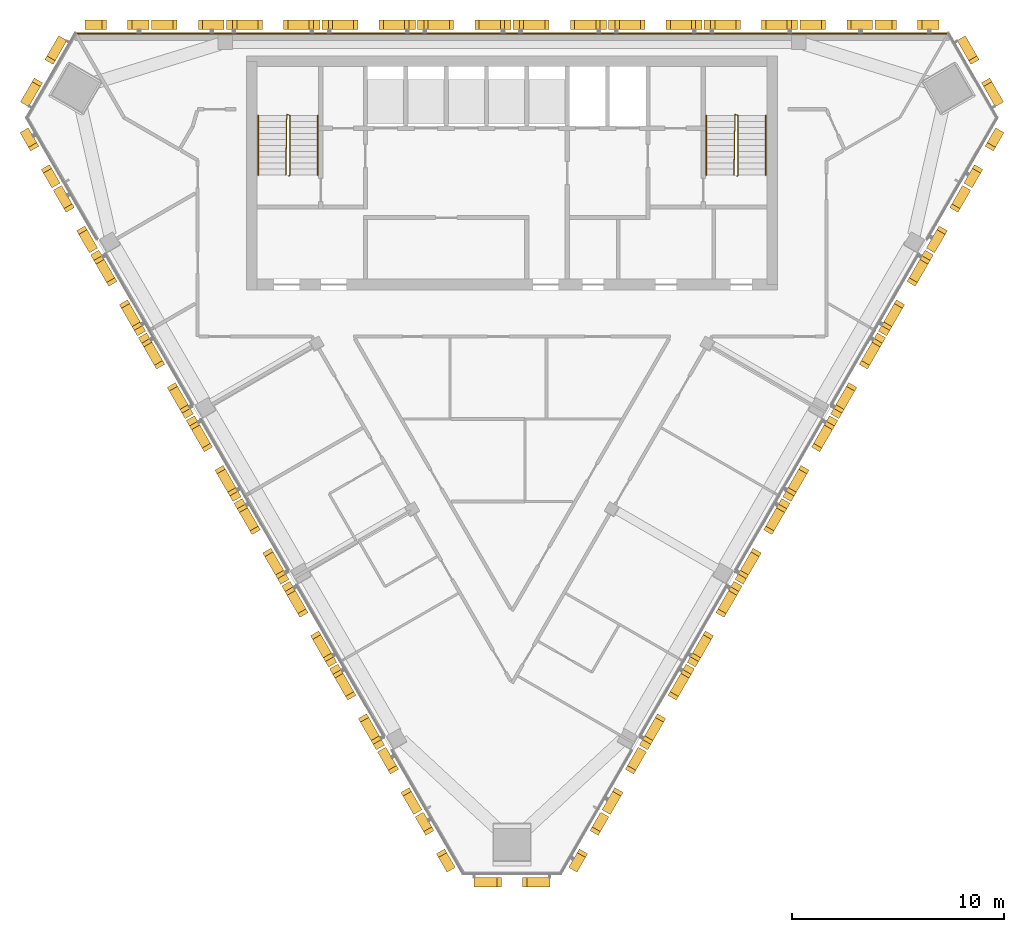
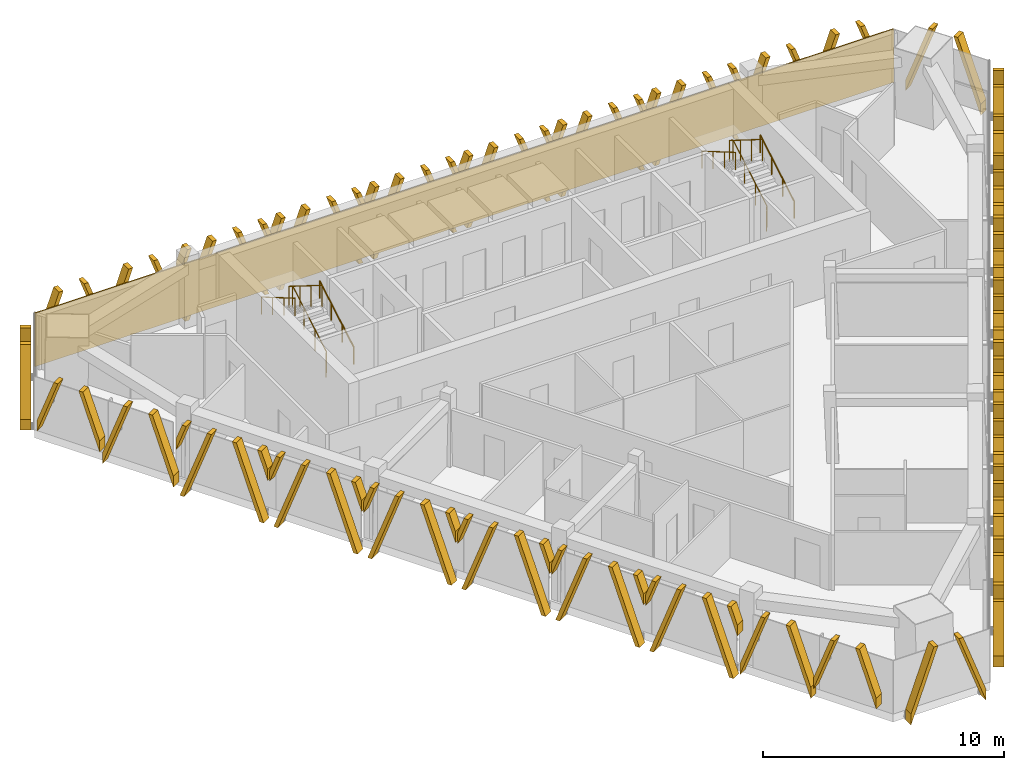
# One storey, part 11 of 12: 33 shading devices, 6 railings, 1 covering.
"""IFC4 building model written with IfcOpenShell, lengths in metres."""

from ifc_helpers import new_model, si_unit, direction, frame, frame_2d, origin, origin_2d, place, context, subcontext, project, spatial, polyline, rectangle, circle, outline, extrude, source, transform, mapped, material, layer, layer_set, type_object, element, save


model = new_model("IFC4")

# Units and contexts
model_context = context("Model", 3, precision=1e-05, world=origin(), true_north=direction((0.0, 1.0)))
body_context = subcontext(model_context, "Body", "Model", "MODEL_VIEW")
ifc_project = project(units=[si_unit("LENGTHUNIT", "METRE"), si_unit("AREAUNIT", "SQUARE_METRE"), si_unit("VOLUMEUNIT", "CUBIC_METRE"), si_unit("PLANEANGLEUNIT", "RADIAN"), si_unit("MASSUNIT", "GRAM", prefix="KILO")], contexts=[model_context])

# Site, building, storey
site_placement = place(None, origin())
site = spatial("IfcSite", under=ifc_project, at=site_placement, CompositionType="ELEMENT")
building_placement = place(site_placement, origin())
building = spatial("IfcBuilding", under=site, at=building_placement, Name="Altiplano Prism Tower", CompositionType="ELEMENT")
storey_placement = place(building_placement, frame((0.0, 0.0, 278.800048828125)))
storey = spatial("IfcBuildingStorey", under=building, at=storey_placement, Name="L72", CompositionType="ELEMENT", Elevation=278.800048828125)

# Railings
ifc_material_1 = material(Name="Steel S355", Category="steel")
railing_type_1 = type_object("IfcRailingType", Name="Stair guard 1100", PredefinedType="GUARDRAIL", material=ifc_material_1)
railing_1_placement = place(storey_placement, frame((74.5, 98.25, 0.0)))
element("IfcRailing", 1, at=railing_1_placement, inside=storey, type_object=railing_type_1, Name="L72 ST1 stair guard 1", PredefinedType="GUARDRAIL", context=body_context, shape_type="SweptSolid", body=[
    extrude(circle(Radius=0.02392578125, at=origin_2d()), frame((0.0, 0.0, 1.076171875), z_axis=(0.280808744504, 0.280808744504, 0.917765164963), x_axis=(-0.707106781187, 0.707106781187, 0.0)), (0.0, 0.0, 1.0), 0.17822265625),
    extrude(circle(Radius=0.02392578125, at=origin_2d()), frame((0.050048828125, 0.050048828125, 1.23974609375), z_axis=(0.0, 0.863360870873, 0.504586966384), x_axis=(-1.0, 0.0, 0.0)), (0.0, 0.0, 1.0), 3.2431640625),
    extrude(circle(Radius=0.02392578125, at=origin_2d()), frame((0.050048828125, 2.85009765625, 2.8759765625), z_axis=(-0.949145278916, 0.314838433982, 0.0), x_axis=(-0.314838433982, -0.949145278916, 0.0)), (0.0, 0.0, 1.0), 0.158203125),
    extrude(circle(Radius=0.02392578125, at=origin_2d()), frame((-0.10009765625, 2.89990234375, 2.8759765625), z_axis=(-0.014774583964, -0.845410385345, 0.533912906773), x_axis=(0.999847325713, -0.01747355902, 0.0)), (0.0, 0.0, 1.0), 3.370849609375),
    extrude(circle(Radius=0.02099609375, at=origin_2d()), origin(), (0.0, 0.0, 1.0), 1.052001953125),
    extrude(circle(Radius=0.02099609375, at=origin_2d()), frame((0.050048828125, 0.050048828125, 0.16357421875)), (0.0, 0.0, 1.0), 1.052001953125),
    extrude(circle(Radius=0.02099609375, at=origin_2d()), frame((0.050048828125, 0.9833984375, 0.708984375)), (0.0, 0.0, 1.0), 1.052001953125),
    extrude(circle(Radius=0.02099609375, at=origin_2d()), frame((0.050048828125, 1.916748046875, 1.254638671875)), (0.0, 0.0, 1.0), 1.052001953125),
    extrude(circle(Radius=0.02099609375, at=origin_2d()), frame((0.050048828125, 2.85009765625, 1.800048828125)), (0.0, 0.0, 1.0), 1.052001953125),
    extrude(circle(Radius=0.02099609375, at=origin_2d()), frame((-0.10009765625, 2.89990234375, 1.800048828125)), (0.0, 0.0, 1.0), 1.052001953125),
    extrude(circle(Radius=0.02099609375, at=origin_2d()), frame((-0.11669921875, 1.949951171875, 2.39990234375)), (0.0, 0.0, 1.0), 1.052001953125),
    extrude(circle(Radius=0.02099609375, at=origin_2d()), frame((-0.13330078125, 1.0, 3.0)), (0.0, 0.0, 1.0), 1.052001953125),
    extrude(circle(Radius=0.02099609375, at=origin_2d()), frame((-0.14990234375, 0.050048828125, 3.599853515625)), (0.0, 0.0, 1.0), 1.052001953125),
])
railing_2_placement = place(storey_placement, frame((95.60009765625, 98.25, 0.0)))
element("IfcRailing", 2, at=railing_2_placement, inside=storey, type_object=railing_type_1, Name="L72 ST2 stair guard 1", PredefinedType="GUARDRAIL", context=body_context, shape_type="SweptSolid", body=[
    extrude(circle(Radius=0.02392578125, at=origin_2d()), frame((0.0, 0.0, 1.076171875), z_axis=(0.279546231943, 0.280916556609, 0.91811752648), x_axis=(-0.708833529934, 0.705375805398, 0.0)), (0.0, 0.0, 1.0), 0.17822265625),
    extrude(circle(Radius=0.02392578125, at=origin_2d()), frame((0.0498046875, 0.050048828125, 1.23974609375), z_axis=(0.0, 0.863360870873, 0.504586966384), x_axis=(-1.0, 0.0, 0.0)), (0.0, 0.0, 1.0), 3.2431640625),
    extrude(circle(Radius=0.02392578125, at=origin_2d()), frame((0.0498046875, 2.85009765625, 2.8759765625), z_axis=(-0.948991962702, 0.315300261223, 0.0), x_axis=(-0.315300261223, -0.948991962702, 0.0)), (0.0, 0.0, 1.0), 0.157958984375),
    extrude(circle(Radius=0.02392578125, at=origin_2d()), frame((-0.10009765625, 2.89990234375, 2.8759765625), z_axis=(-0.014846992469, -0.845409478506, 0.533912334065), x_axis=(0.999845825584, -0.017559187376, 0.0)), (0.0, 0.0, 1.0), 3.37109375),
    extrude(circle(Radius=0.02099609375, at=origin_2d()), origin(), (0.0, 0.0, 1.0), 1.052001953125),
    extrude(circle(Radius=0.02099609375, at=origin_2d()), frame((0.0498046875, 0.050048828125, 0.16357421875)), (0.0, 0.0, 1.0), 1.052001953125),
    extrude(circle(Radius=0.02099609375, at=origin_2d()), frame((0.0498046875, 0.9833984375, 0.708984375)), (0.0, 0.0, 1.0), 1.052001953125),
    extrude(circle(Radius=0.02099609375, at=origin_2d()), frame((0.0498046875, 1.916748046875, 1.254638671875)), (0.0, 0.0, 1.0), 1.052001953125),
    extrude(circle(Radius=0.02099609375, at=origin_2d()), frame((0.0498046875, 2.85009765625, 1.800048828125)), (0.0, 0.0, 1.0), 1.052001953125),
    extrude(circle(Radius=0.02099609375, at=origin_2d()), frame((-0.10009765625, 2.89990234375, 1.800048828125)), (0.0, 0.0, 1.0), 1.052001953125),
    extrude(circle(Radius=0.02099609375, at=origin_2d()), frame((-0.11669921875, 1.949951171875, 2.39990234375)), (0.0, 0.0, 1.0), 1.052001953125),
    extrude(circle(Radius=0.02099609375, at=origin_2d()), frame((-0.133544921875, 1.0, 3.0)), (0.0, 0.0, 1.0), 1.052001953125),
    extrude(circle(Radius=0.02099609375, at=origin_2d()), frame((-0.150146484375, 0.050048828125, 3.599853515625)), (0.0, 0.0, 1.0), 1.052001953125),
])
railing_type_2 = type_object("IfcRailingType", Name="Stair handrail 900", PredefinedType="HANDRAIL", material=ifc_material_1)
railing_3_placement = place(storey_placement, frame((75.85009765625, 98.300048828125, 0.16357421875)))
element("IfcRailing", 3, at=railing_3_placement, inside=storey, type_object=railing_type_2, Name="L72 ST1 stair handrail 1", PredefinedType="HANDRAIL", context=body_context, shape_type="SweptSolid", body=[
    extrude(circle(Radius=0.02392578125, at=origin_2d()), frame((0.0, 0.0, 0.8759765625), z_axis=(0.0, 0.863360870873, 0.504586966384), x_axis=(-1.0, 0.0, 0.0)), (0.0, 0.0, 1.0), 3.2431640625),
    extrude(circle(Radius=0.02099609375, at=origin_2d()), origin(), (0.0, 0.0, 1.0), 0.851806640625),
    extrude(circle(Radius=0.02099609375, at=origin_2d()), frame((0.0, 0.933349609375, 0.54541015625)), (0.0, 0.0, 1.0), 0.851806640625),
    extrude(circle(Radius=0.02099609375, at=origin_2d()), frame((0.0, 1.86669921875, 1.091064453125)), (0.0, 0.0, 1.0), 0.851806640625),
    extrude(circle(Radius=0.02099609375, at=origin_2d()), frame((0.0, 2.800048828125, 1.636474609375)), (0.0, 0.0, 1.0), 0.851806640625),
])
railing_4_placement = place(storey_placement, frame((73.050048828125, 101.10009765625, 1.963623046875)))
element("IfcRailing", 4, at=railing_4_placement, inside=storey, type_object=railing_type_2, Name="L72 ST1 stair handrail 2", PredefinedType="HANDRAIL", context=body_context, shape_type="SweptSolid", body=[
    extrude(circle(Radius=0.02392578125, at=origin_2d()), frame((0.0, 0.0, 0.8759765625), z_axis=(0.0, -0.863393664356, 0.504530851732), x_axis=(1.0, 0.0, 0.0)), (0.0, 0.0, 1.0), 3.2431640625),
    extrude(circle(Radius=0.02099609375, at=origin_2d()), origin(), (0.0, 0.0, 1.0), 0.851806640625),
    extrude(circle(Radius=0.02099609375, at=origin_2d()), frame((0.0, -0.933349609375, 0.54541015625)), (0.0, 0.0, 1.0), 0.851806640625),
    extrude(circle(Radius=0.02099609375, at=origin_2d()), frame((0.0, -1.86669921875, 1.0908203125)), (0.0, 0.0, 1.0), 0.851806640625),
    extrude(circle(Radius=0.02099609375, at=origin_2d()), frame((0.0, -2.800048828125, 1.63623046875)), (0.0, 0.0, 1.0), 0.851806640625),
])
railing_5_placement = place(storey_placement, frame((96.949951171875, 98.300048828125, 0.16357421875)))
element("IfcRailing", 5, at=railing_5_placement, inside=storey, type_object=railing_type_2, Name="L72 ST2 stair handrail 1", PredefinedType="HANDRAIL", context=body_context, shape_type="SweptSolid", body=[
    extrude(circle(Radius=0.02392578125, at=origin_2d()), frame((0.0, 0.0, 0.8759765625), z_axis=(0.0, 0.863360870873, 0.504586966384), x_axis=(-1.0, 0.0, 0.0)), (0.0, 0.0, 1.0), 3.2431640625),
    extrude(circle(Radius=0.02099609375, at=origin_2d()), origin(), (0.0, 0.0, 1.0), 0.851806640625),
    extrude(circle(Radius=0.02099609375, at=origin_2d()), frame((0.0, 0.933349609375, 0.54541015625)), (0.0, 0.0, 1.0), 0.851806640625),
    extrude(circle(Radius=0.02099609375, at=origin_2d()), frame((0.0, 1.86669921875, 1.091064453125)), (0.0, 0.0, 1.0), 0.851806640625),
    extrude(circle(Radius=0.02099609375, at=origin_2d()), frame((0.0, 2.800048828125, 1.636474609375)), (0.0, 0.0, 1.0), 0.851806640625),
])
railing_6_placement = place(storey_placement, frame((94.14990234375, 101.10009765625, 1.963623046875)))
element("IfcRailing", 6, at=railing_6_placement, inside=storey, type_object=railing_type_2, Name="L72 ST2 stair handrail 2", PredefinedType="HANDRAIL", context=body_context, shape_type="SweptSolid", body=[
    extrude(circle(Radius=0.02392578125, at=origin_2d()), frame((0.0, 0.0, 0.8759765625), z_axis=(0.0, -0.863393664356, 0.504530851732), x_axis=(1.0, 0.0, 0.0)), (0.0, 0.0, 1.0), 3.2431640625),
    extrude(circle(Radius=0.02099609375, at=origin_2d()), origin(), (0.0, 0.0, 1.0), 0.851806640625),
    extrude(circle(Radius=0.02099609375, at=origin_2d()), frame((0.0, -0.933349609375, 0.54541015625)), (0.0, 0.0, 1.0), 0.851806640625),
    extrude(circle(Radius=0.02099609375, at=origin_2d()), frame((0.0, -1.86669921875, 1.0908203125)), (0.0, 0.0, 1.0), 0.851806640625),
    extrude(circle(Radius=0.02099609375, at=origin_2d()), frame((0.0, -2.800048828125, 1.63623046875)), (0.0, 0.0, 1.0), 0.851806640625),
])

# Covering
ifc_material_2 = material(Name="Warm limestone cast stone", Category="masonry")
ifc_layer = layer(ifc_material_2, 0.06005859375)
ifc_layer_set = layer_set([ifc_layer], Name="Warm limestone cast stone")
covering_type = type_object("IfcCoveringType", Name="Stone cladding 60", PredefinedType="CLADDING", material=ifc_layer_set)
covering_placement = place(storey_placement, frame((64.432861328125, 104.969970703125, 0.0), z_axis=(0.0, 0.0, 1.0), x_axis=(1.0, 0.0, 0.0)))
element("IfcCovering", 7, at=covering_placement, inside=storey, type_object=covering_type, Name="Stone cladding north face L72", PredefinedType="CLADDING", context=body_context, shape_type="SweptSolid", body=[
    extrude(rectangle(XDim=41.13427734375, YDim=0.06005859375, at=frame_2d((20.567138671875, 0.0))), origin(), (0.0, 0.0, 1.0), 2.699951171875),
])

# Shading devices
shading_device_type_1 = type_object("IfcShadingDeviceType", Name="Stone fin panel, standard unit", PredefinedType="USERDEFINED", material=ifc_material_2)
shared_shape_1 = source(origin(), body_context, "Body", "SweptSolid", [
    extrude(outline(polyline([(-2.199951171875, 2.226318359375), (-1.699951171875, 3.60009765625), (-1.89990234375, 3.60009765625), (-2.199951171875, 2.77587890625), (-2.199951171875, 2.226318359375)])), frame((0.0, -0.14990234375, 0.0), z_axis=(0.0, -1.0, 0.0), x_axis=(1.0, 0.0, 0.0)), (0.0, 0.0, 1.0), 0.4501953125),
    extrude(outline(polyline([(-2.01025390625, 0.0), (-1.810302734375, 0.0), (-0.5, 3.60009765625), (-0.699951171875, 3.60009765625), (-2.01025390625, 0.0)])), frame((0.0, -0.14990234375, 0.0), z_axis=(0.0, -1.0, 0.0), x_axis=(1.0, 0.0, 0.0)), (0.0, 0.0, 1.0), 0.4501953125),
    extrude(outline(polyline([(1.810302734375, 0.0), (2.01025390625, 0.0), (0.699951171875, 3.60009765625), (0.5, 3.60009765625), (1.810302734375, 0.0)])), frame((0.0, -0.14990234375, 0.0), z_axis=(0.0, -1.0, 0.0), x_axis=(1.0, 0.0, 0.0)), (0.0, 0.0, 1.0), 0.4501953125),
    extrude(outline(polyline([(2.199951171875, 2.77587890625), (1.89990234375, 3.60009765625), (1.699951171875, 3.60009765625), (2.199951171875, 2.226318359375), (2.199951171875, 2.77587890625)])), frame((0.0, -0.14990234375, 0.0), z_axis=(0.0, -1.0, 0.0), x_axis=(1.0, 0.0, 0.0)), (0.0, 0.0, 1.0), 0.4501953125),
])
shading_device_1_placement = place(storey_placement, origin())
element("IfcShadingDevice", 8, at=shading_device_1_placement, inside=storey, type_object=shading_device_type_1, Name="Fin L72 north face 3", ObjectType="FIN", PredefinedType="USERDEFINED", context=body_context, shape_type="MappedRepresentation", body=[
    mapped(shared_shape_1, transform((96.25, 105.0, -0.400146484375), x_axis=(-1.0, 0.0, 0.0), y_axis=(0.0, -1.0, 0.0), z_axis=(0.0, 0.0, 1.0))),
])
shading_device_2_placement = place(storey_placement, origin())
element("IfcShadingDevice", 9, at=shading_device_2_placement, inside=storey, type_object=shading_device_type_1, Name="Fin L72 north face 4", ObjectType="FIN", PredefinedType="USERDEFINED", context=body_context, shape_type="MappedRepresentation", body=[
    mapped(shared_shape_1, transform((91.75, 105.0, -0.400146484375), x_axis=(-1.0, 0.0, 0.0), y_axis=(0.0, -1.0, 0.0), z_axis=(0.0, 0.0, 1.0))),
])
shading_device_3_placement = place(storey_placement, origin())
element("IfcShadingDevice", 10, at=shading_device_3_placement, inside=storey, type_object=shading_device_type_1, Name="Fin L72 north face 5", ObjectType="FIN", PredefinedType="USERDEFINED", context=body_context, shape_type="MappedRepresentation", body=[
    mapped(shared_shape_1, transform((87.25, 105.0, -0.400146484375), x_axis=(-1.0, 0.0, 0.0), y_axis=(0.0, -1.0, 0.0), z_axis=(0.0, 0.0, 1.0))),
])
shading_device_4_placement = place(storey_placement, origin())
element("IfcShadingDevice", 11, at=shading_device_4_placement, inside=storey, type_object=shading_device_type_1, Name="Fin L72 north face 6", ObjectType="FIN", PredefinedType="USERDEFINED", context=body_context, shape_type="MappedRepresentation", body=[
    mapped(shared_shape_1, transform((82.75, 105.0, -0.400146484375), x_axis=(-1.0, 0.0, 0.0), y_axis=(0.0, -1.0, 0.0), z_axis=(0.0, 0.0, 1.0))),
])
shading_device_5_placement = place(storey_placement, origin())
element("IfcShadingDevice", 12, at=shading_device_5_placement, inside=storey, type_object=shading_device_type_1, Name="Fin L72 north face 7", ObjectType="FIN", PredefinedType="USERDEFINED", context=body_context, shape_type="MappedRepresentation", body=[
    mapped(shared_shape_1, transform((78.25, 105.0, -0.400146484375), x_axis=(-1.0, 0.0, 0.0), y_axis=(0.0, -1.0, 0.0), z_axis=(0.0, 0.0, 1.0))),
])
shading_device_6_placement = place(storey_placement, origin())
element("IfcShadingDevice", 13, at=shading_device_6_placement, inside=storey, type_object=shading_device_type_1, Name="Fin L72 north face 8", ObjectType="FIN", PredefinedType="USERDEFINED", context=body_context, shape_type="MappedRepresentation", body=[
    mapped(shared_shape_1, transform((73.75, 105.0, -0.400146484375), x_axis=(-1.0, 0.0, 0.0), y_axis=(0.0, -1.0, 0.0), z_axis=(0.0, 0.0, 1.0))),
])
shading_device_7_placement = place(storey_placement, origin())
element("IfcShadingDevice", 14, at=shading_device_7_placement, inside=storey, type_object=shading_device_type_1, Name="Fin L72 south-west face 3", ObjectType="FIN", PredefinedType="USERDEFINED", context=body_context, shape_type="MappedRepresentation", body=[
    mapped(shared_shape_1, transform((66.783203125, 92.933349609375, -0.400146484375), x_axis=(0.499999990992, -0.866025408985, 0.0), y_axis=(0.866025408985, 0.499999990992, 0.0), z_axis=(0.0, 0.0, 1.0))),
])
shading_device_8_placement = place(storey_placement, origin())
element("IfcShadingDevice", 15, at=shading_device_8_placement, inside=storey, type_object=shading_device_type_1, Name="Fin L72 south-west face 4", ObjectType="FIN", PredefinedType="USERDEFINED", context=body_context, shape_type="MappedRepresentation", body=[
    mapped(shared_shape_1, transform((69.033203125, 89.0361328125, -0.400146484375), x_axis=(0.499999990992, -0.866025408985, 0.0), y_axis=(0.866025408985, 0.499999990992, 0.0), z_axis=(0.0, 0.0, 1.0))),
])
shading_device_9_placement = place(storey_placement, origin())
element("IfcShadingDevice", 16, at=shading_device_9_placement, inside=storey, type_object=shading_device_type_1, Name="Fin L72 south-west face 5", ObjectType="FIN", PredefinedType="USERDEFINED", context=body_context, shape_type="MappedRepresentation", body=[
    mapped(shared_shape_1, transform((71.283203125, 85.13916015625, -0.400146484375), x_axis=(0.499999990992, -0.866025408985, 0.0), y_axis=(0.866025408985, 0.499999990992, 0.0), z_axis=(0.0, 0.0, 1.0))),
])
shading_device_10_placement = place(storey_placement, origin())
element("IfcShadingDevice", 17, at=shading_device_10_placement, inside=storey, type_object=shading_device_type_1, Name="Fin L72 south-west face 6", ObjectType="FIN", PredefinedType="USERDEFINED", context=body_context, shape_type="MappedRepresentation", body=[
    mapped(shared_shape_1, transform((73.533203125, 81.241943359375, -0.400146484375), x_axis=(0.499999990992, -0.866025408985, 0.0), y_axis=(0.866025408985, 0.499999990992, 0.0), z_axis=(0.0, 0.0, 1.0))),
])
shading_device_11_placement = place(storey_placement, origin())
element("IfcShadingDevice", 18, at=shading_device_11_placement, inside=storey, type_object=shading_device_type_1, Name="Fin L72 south-west face 7", ObjectType="FIN", PredefinedType="USERDEFINED", context=body_context, shape_type="MappedRepresentation", body=[
    mapped(shared_shape_1, transform((75.783203125, 77.344970703125, -0.400146484375), x_axis=(0.499999990992, -0.866025408985, 0.0), y_axis=(0.866025408985, 0.499999990992, 0.0), z_axis=(0.0, 0.0, 1.0))),
])
shading_device_12_placement = place(storey_placement, origin())
element("IfcShadingDevice", 19, at=shading_device_12_placement, inside=storey, type_object=shading_device_type_1, Name="Fin L72 south-west face 8", ObjectType="FIN", PredefinedType="USERDEFINED", context=body_context, shape_type="MappedRepresentation", body=[
    mapped(shared_shape_1, transform((78.033203125, 73.44775390625, -0.400146484375), x_axis=(0.499999990992, -0.866025408985, 0.0), y_axis=(0.866025408985, 0.499999990992, 0.0), z_axis=(0.0, 0.0, 1.0))),
])
shading_device_13_placement = place(storey_placement, origin())
element("IfcShadingDevice", 20, at=shading_device_13_placement, inside=storey, type_object=shading_device_type_1, Name="Fin L72 south-east face 3", ObjectType="FIN", PredefinedType="USERDEFINED", context=body_context, shape_type="MappedRepresentation", body=[
    mapped(shared_shape_1, transform((91.966796875, 73.44775390625, -0.400146484375), x_axis=(0.499999990992, 0.866025408985, 0.0), y_axis=(-0.866025408985, 0.499999990992, 0.0), z_axis=(0.0, 0.0, 1.0))),
])
shading_device_14_placement = place(storey_placement, origin())
element("IfcShadingDevice", 21, at=shading_device_14_placement, inside=storey, type_object=shading_device_type_1, Name="Fin L72 south-east face 4", ObjectType="FIN", PredefinedType="USERDEFINED", context=body_context, shape_type="MappedRepresentation", body=[
    mapped(shared_shape_1, transform((94.216796875, 77.344970703125, -0.400146484375), x_axis=(0.499999990992, 0.866025408985, 0.0), y_axis=(-0.866025408985, 0.499999990992, 0.0), z_axis=(0.0, 0.0, 1.0))),
])
shading_device_15_placement = place(storey_placement, origin())
element("IfcShadingDevice", 22, at=shading_device_15_placement, inside=storey, type_object=shading_device_type_1, Name="Fin L72 south-east face 5", ObjectType="FIN", PredefinedType="USERDEFINED", context=body_context, shape_type="MappedRepresentation", body=[
    mapped(shared_shape_1, transform((96.466796875, 81.241943359375, -0.400146484375), x_axis=(0.499999990992, 0.866025408985, 0.0), y_axis=(-0.866025408985, 0.499999990992, 0.0), z_axis=(0.0, 0.0, 1.0))),
])
shading_device_16_placement = place(storey_placement, origin())
element("IfcShadingDevice", 23, at=shading_device_16_placement, inside=storey, type_object=shading_device_type_1, Name="Fin L72 south-east face 6", ObjectType="FIN", PredefinedType="USERDEFINED", context=body_context, shape_type="MappedRepresentation", body=[
    mapped(shared_shape_1, transform((98.716796875, 85.13916015625, -0.400146484375), x_axis=(0.499999990992, 0.866025408985, 0.0), y_axis=(-0.866025408985, 0.499999990992, 0.0), z_axis=(0.0, 0.0, 1.0))),
])
shading_device_17_placement = place(storey_placement, origin())
element("IfcShadingDevice", 24, at=shading_device_17_placement, inside=storey, type_object=shading_device_type_1, Name="Fin L72 south-east face 7", ObjectType="FIN", PredefinedType="USERDEFINED", context=body_context, shape_type="MappedRepresentation", body=[
    mapped(shared_shape_1, transform((100.966796875, 89.0361328125, -0.400146484375), x_axis=(0.499999990992, 0.866025408985, 0.0), y_axis=(-0.866025408985, 0.499999990992, 0.0), z_axis=(0.0, 0.0, 1.0))),
])
shading_device_18_placement = place(storey_placement, origin())
element("IfcShadingDevice", 25, at=shading_device_18_placement, inside=storey, type_object=shading_device_type_1, Name="Fin L72 south-east face 8", ObjectType="FIN", PredefinedType="USERDEFINED", context=body_context, shape_type="MappedRepresentation", body=[
    mapped(shared_shape_1, transform((103.216796875, 92.933349609375, -0.400146484375), x_axis=(0.499999990992, 0.866025408985, 0.0), y_axis=(-0.866025408985, 0.499999990992, 0.0), z_axis=(0.0, 0.0, 1.0))),
])
shading_device_type_2 = type_object("IfcShadingDeviceType", Name="Stone fin panel, narrow closing bay", PredefinedType="USERDEFINED", material=ifc_material_2)
shared_shape_2 = source(origin(), body_context, "Body", "SweptSolid", [
    extrude(outline(polyline([(-1.699951171875, 0.302978515625), (-0.5, 3.60009765625), (-0.699951171875, 3.60009765625), (-1.699951171875, 0.8525390625), (-1.699951171875, 0.302978515625)])), frame((0.0, -0.14990234375, 0.0), z_axis=(0.0, -1.0, 0.0), x_axis=(1.0, 0.0, 0.0)), (0.0, 0.0, 1.0), 0.4501953125),
    extrude(outline(polyline([(1.699951171875, 0.8525390625), (0.699951171875, 3.60009765625), (0.5, 3.60009765625), (1.699951171875, 0.302978515625), (1.699951171875, 0.8525390625)])), frame((0.0, -0.14990234375, 0.0), z_axis=(0.0, -1.0, 0.0), x_axis=(1.0, 0.0, 0.0)), (0.0, 0.0, 1.0), 0.4501953125),
])
shading_device_19_placement = place(storey_placement, origin())
element("IfcShadingDevice", 26, at=shading_device_19_placement, inside=storey, type_object=shading_device_type_2, Name="Fin L72 north face 2", ObjectType="FIN", PredefinedType="USERDEFINED", context=body_context, shape_type="MappedRepresentation", body=[
    mapped(shared_shape_2, transform((100.266845703125, 105.0, -0.400146484375), x_axis=(-1.0, 0.0, 0.0), y_axis=(0.0, -1.0, 0.0), z_axis=(0.0, 0.0, 1.0))),
])
shading_device_20_placement = place(storey_placement, origin())
element("IfcShadingDevice", 27, at=shading_device_20_placement, inside=storey, type_object=shading_device_type_2, Name="Fin L72 north face 9", ObjectType="FIN", PredefinedType="USERDEFINED", context=body_context, shape_type="MappedRepresentation", body=[
    mapped(shared_shape_2, transform((69.733154296875, 105.0, -0.400146484375), x_axis=(-1.0, 0.0, 0.0), y_axis=(0.0, -1.0, 0.0), z_axis=(0.0, 0.0, 1.0))),
])
shading_device_21_placement = place(storey_placement, origin())
element("IfcShadingDevice", 28, at=shading_device_21_placement, inside=storey, type_object=shading_device_type_2, Name="Fin L72 south-west face 2", ObjectType="FIN", PredefinedType="USERDEFINED", context=body_context, shape_type="MappedRepresentation", body=[
    mapped(shared_shape_2, transform((64.77490234375, 96.411865234375, -0.400146484375), x_axis=(0.499999990992, -0.866025408985, 0.0), y_axis=(0.866025408985, 0.499999990992, 0.0), z_axis=(0.0, 0.0, 1.0))),
])
shading_device_22_placement = place(storey_placement, origin())
element("IfcShadingDevice", 29, at=shading_device_22_placement, inside=storey, type_object=shading_device_type_2, Name="Fin L72 south-west face 9", ObjectType="FIN", PredefinedType="USERDEFINED", context=body_context, shape_type="MappedRepresentation", body=[
    mapped(shared_shape_2, transform((80.041748046875, 69.96923828125, -0.400146484375), x_axis=(0.499999990992, -0.866025408985, 0.0), y_axis=(0.866025408985, 0.499999990992, 0.0), z_axis=(0.0, 0.0, 1.0))),
])
shading_device_23_placement = place(storey_placement, origin())
element("IfcShadingDevice", 30, at=shading_device_23_placement, inside=storey, type_object=shading_device_type_2, Name="Fin L72 south-east face 2", ObjectType="FIN", PredefinedType="USERDEFINED", context=body_context, shape_type="MappedRepresentation", body=[
    mapped(shared_shape_2, transform((89.958251953125, 69.96923828125, -0.400146484375), x_axis=(0.499999990992, 0.866025408985, 0.0), y_axis=(-0.866025408985, 0.499999990992, 0.0), z_axis=(0.0, 0.0, 1.0))),
])
shading_device_24_placement = place(storey_placement, origin())
element("IfcShadingDevice", 31, at=shading_device_24_placement, inside=storey, type_object=shading_device_type_2, Name="Fin L72 south-east face 9", ObjectType="FIN", PredefinedType="USERDEFINED", context=body_context, shape_type="MappedRepresentation", body=[
    mapped(shared_shape_2, transform((105.22509765625, 96.411865234375, -0.400146484375), x_axis=(0.499999990992, 0.866025408985, 0.0), y_axis=(-0.866025408985, 0.499999990992, 0.0), z_axis=(0.0, 0.0, 1.0))),
])
shading_device_type_3 = type_object("IfcShadingDeviceType", Name="Stone fin panel, chamfer unit", PredefinedType="USERDEFINED", material=ifc_material_2)
shared_shape_3 = source(origin(), body_context, "Body", "SweptSolid", [
    extrude(outline(polyline([(-1.800048828125, 0.0283203125), (-0.5, 3.60009765625), (-0.699951171875, 3.60009765625), (-1.800048828125, 0.577880859375), (-1.800048828125, 0.0283203125)])), frame((0.0, -0.14990234375, 0.0), z_axis=(0.0, -1.0, 0.0), x_axis=(1.0, 0.0, 0.0)), (0.0, 0.0, 1.0), 0.4501953125),
    extrude(outline(polyline([(1.800048828125, 0.577880859375), (0.699951171875, 3.60009765625), (0.5, 3.60009765625), (1.800048828125, 0.0283203125), (1.800048828125, 0.577880859375)])), frame((0.0, -0.14990234375, 0.0), z_axis=(0.0, -1.0, 0.0), x_axis=(1.0, 0.0, 0.0)), (0.0, 0.0, 1.0), 0.4501953125),
])
shading_device_25_placement = place(storey_placement, origin())
element("IfcShadingDevice", 32, at=shading_device_25_placement, inside=storey, type_object=shading_device_type_3, Name="Fin L72 north-west chamfer 1", ObjectType="FIN", PredefinedType="USERDEFINED", context=body_context, shape_type="MappedRepresentation", body=[
    mapped(shared_shape_3, transform((63.27880859375, 103.0009765625, -0.400146484375), x_axis=(-0.499999876913, -0.866025474849, 0.0), y_axis=(0.866025474849, -0.499999876913, 0.0), z_axis=(0.0, 0.0, 1.0))),
])
shading_device_26_placement = place(storey_placement, origin())
element("IfcShadingDevice", 33, at=shading_device_26_placement, inside=storey, type_object=shading_device_type_3, Name="Fin L72 south chamfer 1", ObjectType="FIN", PredefinedType="USERDEFINED", context=body_context, shape_type="MappedRepresentation", body=[
    mapped(shared_shape_3, transform((85.0, 65.37890625, -0.400146484375), x_axis=(1.0, 0.0, 0.0), y_axis=(0.0, 1.0, 0.0), z_axis=(0.0, 0.0, 1.0))),
])
shading_device_27_placement = place(storey_placement, origin())
element("IfcShadingDevice", 34, at=shading_device_27_placement, inside=storey, type_object=shading_device_type_3, Name="Fin L72 north-east chamfer 1", ObjectType="FIN", PredefinedType="USERDEFINED", context=body_context, shape_type="MappedRepresentation", body=[
    mapped(shared_shape_3, transform((106.72119140625, 103.0009765625, -0.400146484375), x_axis=(-0.499999876913, 0.866025474849, 0.0), y_axis=(-0.866025474849, -0.499999876913, 0.0), z_axis=(0.0, 0.0, 1.0))),
])
shared_shape_4 = source(origin(), body_context, "Body", "SweptSolid", [
    extrude(outline(polyline([(-1.5, 0.8525390625), (-0.5, 3.60009765625), (-0.699951171875, 3.60009765625), (-1.5, 1.402099609375), (-1.5, 0.8525390625)])), frame((0.0, -0.14990234375, 0.0), z_axis=(0.0, -1.0, 0.0), x_axis=(1.0, 0.0, 0.0)), (0.0, 0.0, 1.0), 0.4501953125),
    extrude(outline(polyline([(1.5, 1.402099609375), (0.699951171875, 3.60009765625), (0.5, 3.60009765625), (1.5, 0.8525390625), (1.5, 1.402099609375)])), frame((0.0, -0.14990234375, 0.0), z_axis=(0.0, -1.0, 0.0), x_axis=(1.0, 0.0, 0.0)), (0.0, 0.0, 1.0), 0.4501953125),
])
shading_device_28_placement = place(storey_placement, origin())
element("IfcShadingDevice", 35, at=shading_device_28_placement, inside=storey, type_object=shading_device_type_2, Name="Fin L72 north face 1", ObjectType="FIN", PredefinedType="USERDEFINED", context=body_context, shape_type="MappedRepresentation", body=[
    mapped(shared_shape_4, transform((103.600341796875, 105.0, -0.400146484375), x_axis=(-1.0, 0.0, 0.0), y_axis=(0.0, -1.0, 0.0), z_axis=(0.0, 0.0, 1.0))),
])
shading_device_29_placement = place(storey_placement, origin())
element("IfcShadingDevice", 36, at=shading_device_29_placement, inside=storey, type_object=shading_device_type_2, Name="Fin L72 north face 10", ObjectType="FIN", PredefinedType="USERDEFINED", context=body_context, shape_type="MappedRepresentation", body=[
    mapped(shared_shape_4, transform((66.399658203125, 105.0, -0.400146484375), x_axis=(-1.0, 0.0, 0.0), y_axis=(0.0, -1.0, 0.0), z_axis=(0.0, 0.0, 1.0))),
])
shading_device_30_placement = place(storey_placement, origin())
element("IfcShadingDevice", 37, at=shading_device_30_placement, inside=storey, type_object=shading_device_type_2, Name="Fin L72 south-west face 1", ObjectType="FIN", PredefinedType="USERDEFINED", context=body_context, shape_type="MappedRepresentation", body=[
    mapped(shared_shape_4, transform((63.108154296875, 99.298828125, -0.400146484375), x_axis=(0.499999990992, -0.866025408985, 0.0), y_axis=(0.866025408985, 0.499999990992, 0.0), z_axis=(0.0, 0.0, 1.0))),
])
shading_device_31_placement = place(storey_placement, origin())
element("IfcShadingDevice", 38, at=shading_device_31_placement, inside=storey, type_object=shading_device_type_2, Name="Fin L72 south-west face 10", ObjectType="FIN", PredefinedType="USERDEFINED", context=body_context, shape_type="MappedRepresentation", body=[
    mapped(shared_shape_4, transform((81.70849609375, 67.082275390625, -0.400146484375), x_axis=(0.499999990992, -0.866025408985, 0.0), y_axis=(0.866025408985, 0.499999990992, 0.0), z_axis=(0.0, 0.0, 1.0))),
])
shading_device_32_placement = place(storey_placement, origin())
element("IfcShadingDevice", 39, at=shading_device_32_placement, inside=storey, type_object=shading_device_type_2, Name="Fin L72 south-east face 1", ObjectType="FIN", PredefinedType="USERDEFINED", context=body_context, shape_type="MappedRepresentation", body=[
    mapped(shared_shape_4, transform((88.29150390625, 67.082275390625, -0.400146484375), x_axis=(0.499999990992, 0.866025408985, 0.0), y_axis=(-0.866025408985, 0.499999990992, 0.0), z_axis=(0.0, 0.0, 1.0))),
])
shading_device_33_placement = place(storey_placement, origin())
element("IfcShadingDevice", 40, at=shading_device_33_placement, inside=storey, type_object=shading_device_type_2, Name="Fin L72 south-east face 10", ObjectType="FIN", PredefinedType="USERDEFINED", context=body_context, shape_type="MappedRepresentation", body=[
    mapped(shared_shape_4, transform((106.891845703125, 99.298828125, -0.400146484375), x_axis=(0.499999990992, 0.866025408985, 0.0), y_axis=(-0.866025408985, 0.499999990992, 0.0), z_axis=(0.0, 0.0, 1.0))),
])

save(model, "model.ifc")
